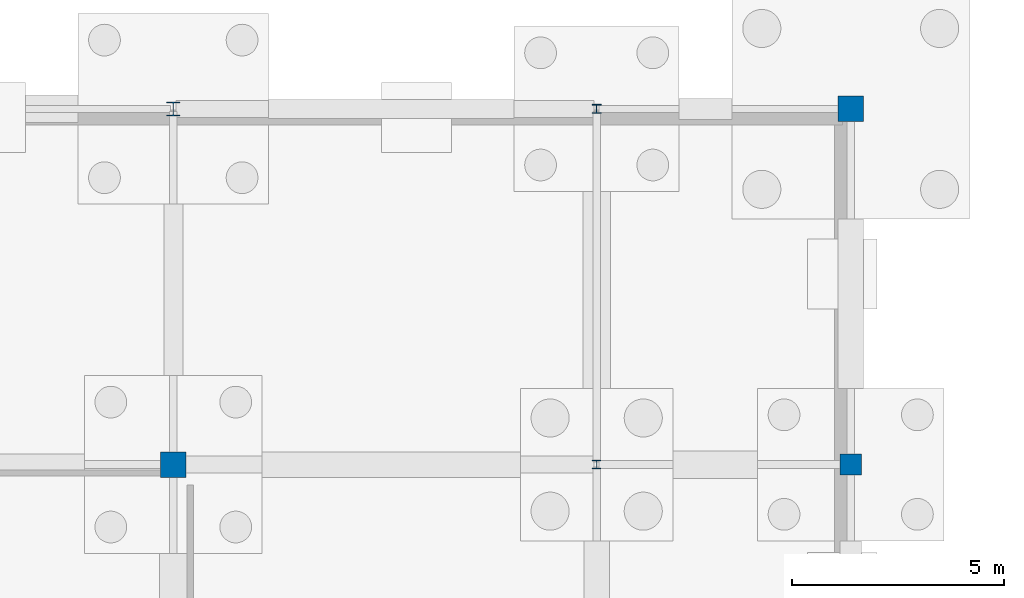
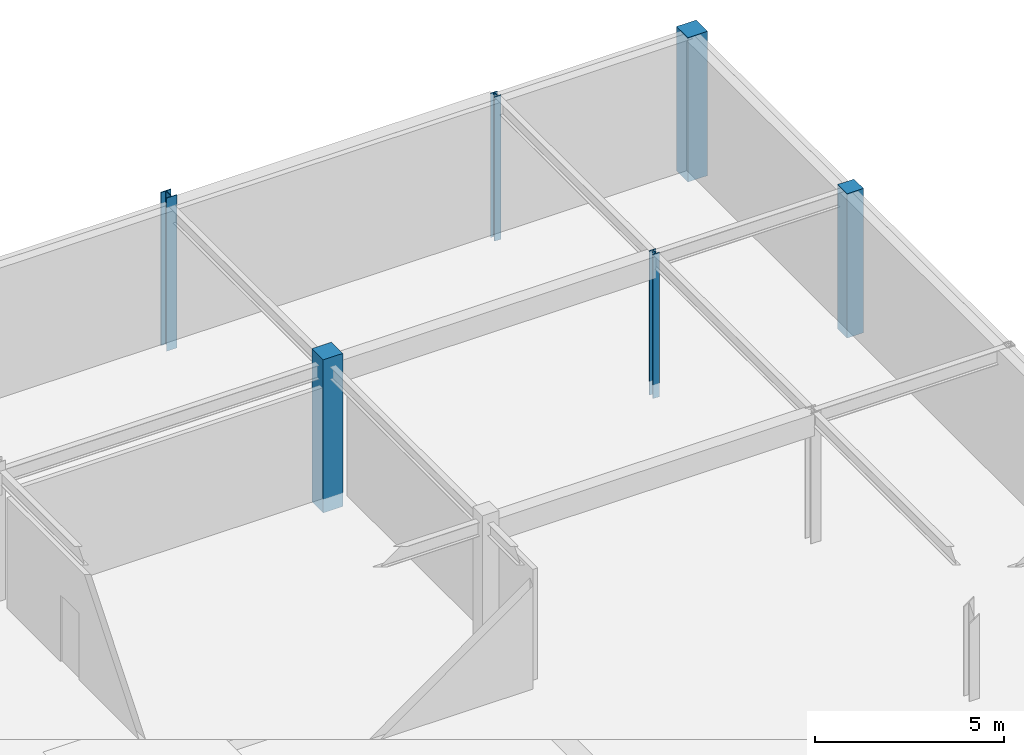
# One storey, part 56 of 75: 6 columns.
"""IFC4 building model written with IfcOpenShell, lengths in metres."""

from ifc_helpers import new_model, si_unit, derived_unit, direction, frame, origin, origin_2d_with_axis, place, context, subcontext, project, spatial, rectangle, i_section, extrude, material, material_profile, profile_set, type_object, element, save


model = new_model("IFC4")

# Units and contexts
model_context = context("Model", 3, precision=1e-05, world=origin(), true_north=direction((0.0, 1.0)))
body_context = subcontext(model_context, "Body", "Model", "MODEL_VIEW")
ifc_project = project(units=[si_unit("LENGTHUNIT", "METRE"), si_unit("AREAUNIT", "SQUARE_METRE"), si_unit("VOLUMEUNIT", "CUBIC_METRE"), si_unit("PLANEANGLEUNIT", "RADIAN"), si_unit("MASSUNIT", "GRAM", prefix="KILO"), derived_unit("THERMALTRANSMITTANCEUNIT", [(si_unit("POWERUNIT", "WATT"), 1), (si_unit("LENGTHUNIT", "METRE"), -2), (si_unit("THERMODYNAMICTEMPERATUREUNIT", "KELVIN"), -1)])], contexts=[model_context])

# Site, building, storey
site_placement = place(None, origin())
site = spatial("IfcSite", under=ifc_project, at=site_placement, CompositionType="ELEMENT")
building_placement = place(site_placement, origin())
building = spatial("IfcBuilding", under=site, at=building_placement, Name="Cinnabar Yard Market Hall", CompositionType="ELEMENT")
storey_placement = place(building_placement, frame((0.0, 0.0, -4.5)))
storey = spatial("IfcBuildingStorey", under=building, at=storey_placement, Name="B1", CompositionType="ELEMENT", Elevation=-4.5)

# Columns
ifc_material_1 = material(Name="Steel Grade 350 (350 MPa)", Category="steel")
ifc_material_profile_1 = material_profile(ifc_material_1, i_section(OverallWidth=0.311279296875, OverallDepth=0.3271484375, WebThickness=0.015625, FlangeThickness=0.02490234375, FilletRadius=0.0166015625, at=origin_2d_with_axis()), Name="310UC158")
ifc_profile_set_1 = profile_set([ifc_material_profile_1], Name="Steel Grade 350 (350 MPa)")
column_type_1 = type_object("IfcColumnType", Name="COL-C06", PredefinedType="COLUMN", material=ifc_profile_set_1)
column_1_placement = place(storey_placement, frame((146.0, 138.0, -0.449951171875), z_axis=(0.0, 0.0, 1.0), x_axis=(1.0, 0.0, 0.0)))
element("IfcColumn", 1, at=column_1_placement, inside=storey, type_object=column_type_1, Name="Wing Column V3-09-05 B1", PredefinedType="COLUMN", context=body_context, shape_type="SweptSolid", body=[
    extrude(i_section(OverallWidth=0.311279296875, OverallDepth=0.3271484375, WebThickness=0.015625, FlangeThickness=0.02490234375, FilletRadius=0.0166015625, at=origin_2d_with_axis()), origin(), (0.0, 0.0, 1.0), 4.949951171875),
])
ifc_material_2 = material(Name="Steel Grade 300 (300 MPa)", Category="steel")
ifc_material_profile_2 = material_profile(ifc_material_2, i_section(OverallWidth=0.203369140625, OverallDepth=0.203369140625, WebThickness=0.00732421875, FlangeThickness=0.010986328125, FilletRadius=0.011474609375, at=origin_2d_with_axis()), Name="200UC46.2")
ifc_profile_set_2 = profile_set([ifc_material_profile_2], Name="Steel Grade 300 (300 MPa)")
column_type_2 = type_object("IfcColumnType", Name="COL-C13", PredefinedType="COLUMN", material=ifc_profile_set_2)
column_2_placement = place(storey_placement, frame((156.0, 129.60009765625, -0.449951171875), z_axis=(0.0, 0.0, 1.0), x_axis=(1.0, 0.0, 0.0)))
element("IfcColumn", 2, at=column_2_placement, inside=storey, type_object=column_type_2, Name="Wing Column V3-10-04 B1", PredefinedType="COLUMN", context=body_context, shape_type="SweptSolid", body=[
    extrude(i_section(OverallWidth=0.203369140625, OverallDepth=0.203369140625, WebThickness=0.00732421875, FlangeThickness=0.010986328125, FilletRadius=0.011474609375, at=origin_2d_with_axis()), origin(), (0.0, 0.0, 1.0), 4.669921875),
])
ifc_material_profile_3 = material_profile(ifc_material_2, i_section(OverallWidth=0.205078125, OverallDepth=0.209716796875, WebThickness=0.00927734375, FlangeThickness=0.01416015625, FilletRadius=0.011474609375, at=origin_2d_with_axis()), Name="200UC59.5")
ifc_profile_set_3 = profile_set([ifc_material_profile_3], Name="Steel Grade 300 (300 MPa)")
column_type_3 = type_object("IfcColumnType", Name="COL-C17", PredefinedType="COLUMN", material=ifc_profile_set_3)
column_3_placement = place(storey_placement, frame((156.0, 138.0, -0.449951171875), z_axis=(0.0, 0.0, 1.0), x_axis=(1.0, 0.0, 0.0)))
element("IfcColumn", 3, at=column_3_placement, inside=storey, type_object=column_type_3, Name="Wing Column V3-10-05 B1", PredefinedType="COLUMN", context=body_context, shape_type="SweptSolid", body=[
    extrude(i_section(OverallWidth=0.205078125, OverallDepth=0.209716796875, WebThickness=0.00927734375, FlangeThickness=0.01416015625, FilletRadius=0.011474609375, at=origin_2d_with_axis()), origin(), (0.0, 0.0, 1.0), 4.669921875),
])
ifc_material_3 = material(Name="Concrete 40 MPa", Category="concrete")
ifc_material_profile_4 = material_profile(ifc_material_3, rectangle(XDim=0.5, YDim=0.5, at=origin_2d_with_axis()), Name="RC-500x500")
ifc_profile_set_4 = profile_set([ifc_material_profile_4], Name="Concrete 40 MPa")
column_type_4 = type_object("IfcColumnType", Name="COL-RC1", PredefinedType="COLUMN", material=ifc_profile_set_4)
column_4_placement = place(storey_placement, frame((162.0, 129.60009765625, -0.449951171875), z_axis=(0.0, 0.0, 1.0), x_axis=(1.0, 0.0, 0.0)))
element("IfcColumn", 4, at=column_4_placement, inside=storey, type_object=column_type_4, Name="Wing Column V3-11-04 B1", PredefinedType="COLUMN", context=body_context, shape_type="SweptSolid", body=[
    extrude(rectangle(XDim=0.5, YDim=0.5, at=origin_2d_with_axis()), origin(), (0.0, 0.0, 1.0), 4.669921875),
])
ifc_material_profile_5 = material_profile(ifc_material_3, rectangle(XDim=0.60009765625, YDim=0.60009765625, at=origin_2d_with_axis()), Name="RC-600x600")
ifc_profile_set_5 = profile_set([ifc_material_profile_5], Name="Concrete 40 MPa")
column_type_5 = type_object("IfcColumnType", Name="COL-RC2", PredefinedType="COLUMN", material=ifc_profile_set_5)
column_5_placement = place(storey_placement, frame((146.0, 129.60009765625, -0.449951171875), z_axis=(0.0, 0.0, 1.0), x_axis=(1.0, 0.0, 0.0)))
element("IfcColumn", 5, at=column_5_placement, inside=storey, type_object=column_type_5, Name="Wing Column V3-09-04 B1", PredefinedType="COLUMN", context=body_context, shape_type="SweptSolid", body=[
    extrude(rectangle(XDim=0.60009765625, YDim=0.60009765625, at=origin_2d_with_axis()), origin(), (0.0, 0.0, 1.0), 4.949951171875),
])
column_6_placement = place(storey_placement, frame((162.0, 138.0, -0.449951171875), z_axis=(0.0, 0.0, 1.0), x_axis=(1.0, 0.0, 0.0)))
element("IfcColumn", 6, at=column_6_placement, inside=storey, type_object=column_type_5, Name="Wing Column V3-11-05 B1", PredefinedType="COLUMN", context=body_context, shape_type="SweptSolid", body=[
    extrude(rectangle(XDim=0.60009765625, YDim=0.60009765625, at=origin_2d_with_axis()), origin(), (0.0, 0.0, 1.0), 4.669921875),
])

save(model, "model.ifc")
